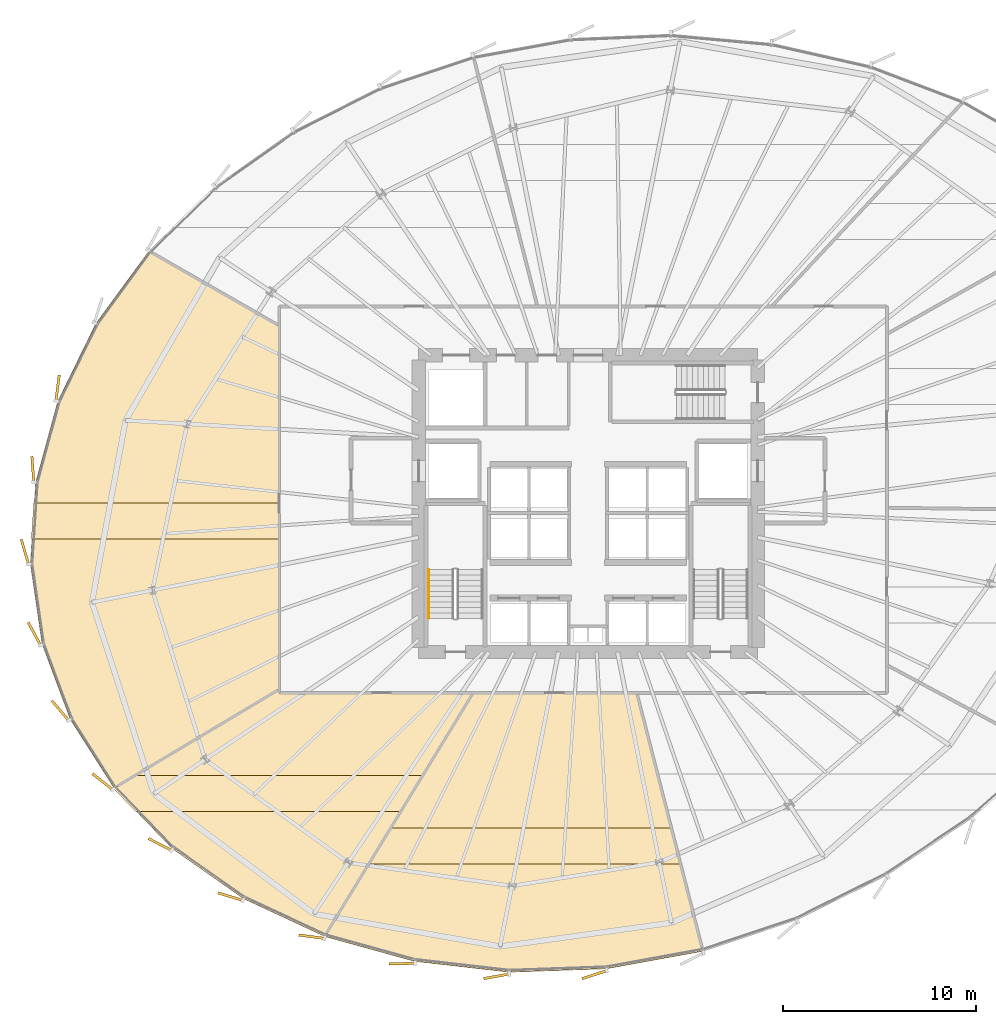
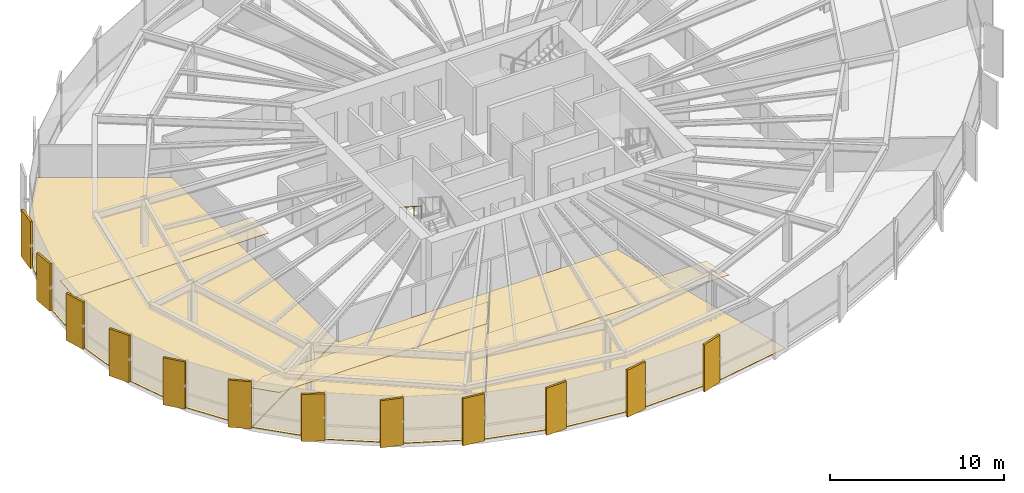
# One storey, part 31 of 35: 18 coverings, 1 railing.
"""IFC4 building model written with IfcOpenShell, lengths in metres."""

from ifc_helpers import new_model, si_unit, direction, frame, origin, origin_2d, place, context, subcontext, project, spatial, polyline, rectangle, circle, outline, extrude, source, transform, mapped, material, layer, layer_set, type_object, element, save


model = new_model("IFC4")

# Units and contexts
model_context = context("Model", 3, precision=1e-05, world=origin(), true_north=direction((0.0, 1.0)))
body_context = subcontext(model_context, "Body", "Model", "MODEL_VIEW")
ifc_project = project(units=[si_unit("LENGTHUNIT", "METRE"), si_unit("AREAUNIT", "SQUARE_METRE"), si_unit("VOLUMEUNIT", "CUBIC_METRE"), si_unit("PLANEANGLEUNIT", "RADIAN"), si_unit("MASSUNIT", "GRAM", prefix="KILO"), si_unit("THERMODYNAMICTEMPERATUREUNIT", "KELVIN")], contexts=[model_context])

# Site, building, storey
site_placement = place(None, origin())
site = spatial("IfcSite", under=ifc_project, at=site_placement, CompositionType="ELEMENT")
building_placement = place(site_placement, origin())
building = spatial("IfcBuilding", under=site, at=building_placement, Name="Kethvar Cultural Tower", CompositionType="ELEMENT")
storey_placement = place(building_placement, frame((0.0, 0.0, 92.800048828125)))
storey = spatial("IfcBuildingStorey", under=building, at=storey_placement, Name="L22", CompositionType="ELEMENT", Elevation=92.800048828125)

# Coverings
ifc_material_1 = material(Name="Acoustic Mineral Fibre Ceiling")
ifc_layer_1 = layer(ifc_material_1, 0.0400390625, Name="Acoustic Mineral Fibre Ceiling")
ifc_layer_set_1 = layer_set([ifc_layer_1], Name="Acoustic Mineral Fibre Ceiling (40 mm)")
covering_type_1 = type_object("IfcCoveringType", Name="CV-ACOUSTIC-CEIL", PredefinedType="CEILING", material=ifc_layer_set_1)
covering_1_placement = place(storey_placement, frame((0.0, 0.0, 2.780029296875)))
element("IfcCovering", 1, at=covering_1_placement, inside=storey, type_object=covering_type_1, Name="L22 Room 01 Acoustic Ceiling Panel", PredefinedType="CEILING", context=body_context, shape_type="SweptSolid", body=[
    extrude(outline(polyline([(22.178466796875, 12.99267578125), (23.28076171875, 13.683837890625), (38.251708984375, 13.683837890625), (37.1162109375, 11.813720703125), (23.318115234375, 11.813720703125), (22.178466796875, 12.99267578125)])), origin(), (0.0, 0.0, 1.0), 0.0400390625),
])
covering_2_placement = place(storey_placement, frame((0.0, 0.0, 2.780029296875)))
element("IfcCovering", 2, at=covering_2_placement, inside=storey, type_object=covering_type_1, Name="L22 Room 02 Acoustic Ceiling Panel", PredefinedType="CEILING", context=body_context, shape_type="SweptSolid", body=[
    extrude(outline(polyline([(36.5517578125, 10.96142578125), (51.14404296875, 10.96142578125), (51.624267578125, 9.091552734375), (35.416259765625, 9.091552734375), (36.5517578125, 10.96142578125)])), origin(), (0.0, 0.0, 1.0), 0.0400390625),
])
covering_3_placement = place(storey_placement, frame((0.0, 0.0, 2.780029296875)))
element("IfcCovering", 3, at=covering_3_placement, inside=storey, type_object=covering_type_1, Name="L22 Room 09 Acoustic Ceiling Panel", PredefinedType="CEILING", context=body_context, shape_type="SweptSolid", body=[
    extrude(outline(polyline([(18.019775390625, 27.8271484375), (30.7900390625, 27.8271484375), (30.7900390625, 25.957275390625), (17.89892578125, 25.957275390625), (18.019775390625, 27.8271484375)])), origin(), (0.0, 0.0, 1.0), 0.0400390625),
])
ifc_material_2 = material(Name="Architectural Oak Timber", Category="wood")
ifc_layer_2 = layer(ifc_material_2, 0.02490234375, Name="Architectural Oak Timber", Category="wood")
ifc_layer_set_2 = layer_set([ifc_layer_2], Name="Architectural Oak Timber (25 mm)")
covering_type_2 = type_object("IfcCoveringType", Name="CV-OAK-FLOOR", PredefinedType="FLOORING", material=ifc_layer_set_2)
covering_4_placement = place(storey_placement, origin())
element("IfcCovering", 4, at=covering_4_placement, inside=storey, type_object=covering_type_2, Name="L22 Room 01 Floor Finish", PredefinedType="FLOORING", context=body_context, shape_type="SweptSolid", body=[
    extrude(outline(polyline([(28.922607421875, 7.296142578125), (25.238037109375, 9.885498046875), (22.224609375, 13.002197265625), (30.75, 18.127685546875), (30.77001953125, 17.9599609375), (40.801513671875, 17.9599609375), (33.135986328125, 5.33642578125), (28.922607421875, 7.296142578125)])), origin(), (0.0, 0.0, 1.0), 0.02490234375),
])
covering_5_placement = place(storey_placement, origin())
element("IfcCovering", 5, at=covering_5_placement, inside=storey, type_object=covering_type_2, Name="L22 Room 02 Floor Finish", PredefinedType="FLOORING", context=body_context, shape_type="SweptSolid", body=[
    extrude(outline(polyline([(52.744384765625, 4.56787109375), (47.751708984375, 3.66064453125), (42.71044921875, 3.483642578125), (37.793701171875, 4.045654296875), (33.174560546875, 5.322998046875), (40.848388671875, 17.9599609375), (49.305908203125, 17.9599609375), (52.744384765625, 4.56787109375)])), origin(), (0.0, 0.0, 1.0), 0.02490234375),
])
covering_6_placement = place(storey_placement, origin())
element("IfcCovering", 6, at=covering_6_placement, inside=storey, type_object=covering_type_2, Name="L22 Room 09 Floor Finish", PredefinedType="FLOORING", context=body_context, shape_type="SweptSolid", body=[
    extrude(outline(polyline([(19.926513671875, 16.601318359375), (18.46044921875, 20.523681640625), (17.85546875, 24.6669921875), (18.129638671875, 28.90576171875), (19.274658203125, 33.111083984375), (21.256103515625, 37.1552734375), (24.004150390625, 40.90234375), (30.75, 37.018310546875), (30.75, 18.17431640625), (22.19921875, 13.03369140625), (19.926513671875, 16.601318359375)])), origin(), (0.0, 0.0, 1.0), 0.02490234375),
])

# Railing
ifc_material_3 = material(Name="Steel S355J2", Category="steel")
railing_type = type_object("IfcRailingType", Name="RL-STAIR-HANDRAIL", PredefinedType="HANDRAIL", material=ifc_material_3)
railing_placement = place(storey_placement, frame((38.5400390625, 24.3701171875, 1.97998046875)))
element("IfcRailing", 7, at=railing_placement, inside=storey, type_object=railing_type, Name="L22 ST-01 stair handrail 2", PredefinedType="HANDRAIL", context=body_context, shape_type="SweptSolid", body=[
    extrude(circle(Radius=0.02392578125, at=origin_2d()), frame((0.0, 0.0, 0.8759765625), z_axis=(0.0, -0.841199657755, 0.540724639528), x_axis=(1.0, 0.0, 0.0)), (0.0, 0.0, 1.0), 2.995849609375),
    extrude(circle(Radius=0.02099609375, at=origin_2d()), origin(), (0.0, 0.0, 1.0), 0.851806640625),
    extrude(circle(Radius=0.02099609375, at=origin_2d()), frame((0.0, -0.840087890625, 0.5400390625)), (0.0, 0.0, 1.0), 0.851806640625),
    extrude(circle(Radius=0.02099609375, at=origin_2d()), frame((0.0, -1.679931640625, 1.079833984375)), (0.0, 0.0, 1.0), 0.851806640625),
    extrude(circle(Radius=0.02099609375, at=origin_2d()), frame((0.0, -2.52001953125, 1.619873046875)), (0.0, 0.0, 1.0), 0.851806640625),
])

# Coverings
ifc_material_4 = material(Name="Extruded Architectural Terracotta", Category="masonry")
ifc_layer_3 = layer(ifc_material_4, 0.135009765625, Name="Extruded Architectural Terracotta", Category="masonry")
ifc_layer_set_3 = layer_set([ifc_layer_3], Name="Extruded Architectural Terracotta (135 mm)")
covering_type_3 = type_object("IfcCoveringType", Name="Terracotta Facade Fin FIN-02", PredefinedType="CLADDING", material=ifc_layer_set_3)
shared_shape = source(origin(), body_context, "Body", "SweptSolid", [
    extrude(rectangle(XDim=1.35009765625, YDim=0.135009765625, at=origin_2d()), origin(), (0.0, 0.0, 1.0), 3.31005859375),
])
for number, where, z_axis, x_axis, name in (
    (8, (19.263671875, 33.808837890625, 0.02001953125), (0.0, 0.0, 1.0), (0.125852686403, 0.992048940993, 0.0), "L22 Vertical Terracotta Fin 3.4"),
    (9, (17.9794921875, 29.58740234375, 0.02001953125), (0.0, 0.0, 1.0), (-0.074978726826, 0.997185133525, 0.0), "L22 Vertical Terracotta Fin 3.5"),
    (10, (17.566650390625, 25.302490234375, 0.02001953125), (0.0, 0.0, 1.0), (-0.28083422227, 0.959756291775, 0.0), "L22 Vertical Terracotta Fin 3.6"),
    (11, (18.057861328125, 21.04736328125, 0.02001953125), (0.0, 0.0, 1.0), (-0.477005370471, 0.878900379191, 0.0), "L22 Vertical Terracotta Fin 4.1"),
    (12, (19.402587890625, 17.0625, 0.02001953125), (0.0, 0.0, 1.0), (-0.64944804833, 0.7604059656, 0.0), "L22 Vertical Terracotta Fin 4.2"),
    (13, (21.603271484375, 13.3662109375, 0.02001953125), (0.0, 0.0, 1.0), (-0.788333005168, 0.615248789485, 0.0), "L22 Vertical Terracotta Fin 4.3"),
    (14, (24.577880859375, 10.1123046875, 0.02001953125), (0.0, 0.0, 1.0), (-0.890212804611, 0.455544907234, 0.0), "L22 Vertical Terracotta Fin 4.4"),
    (15, (28.233154296875, 7.40283203125, 0.02001953125), (0.0, 0.0, 1.0), (-0.956610402488, 0.291370104596, 0.0), "L22 Vertical Terracotta Fin 4.5"),
    (16, (32.453125, 5.3212890625, 0.02001953125), (0.0, 0.0, 1.0), (-0.99153574423, 0.129834001381, 0.0), "L22 Vertical Terracotta Fin 4.6"),
    (17, (37.144775390625, 3.924560546875, 0.02001953125), (0.0, 0.0, 1.0), (-0.999666401551, -0.025828000486, 0.0), "L22 Vertical Terracotta Fin 5.1"),
    (18, (42.0478515625, 3.266357421875, 0.02001953125), (0.0, 0.0, 1.0), (-0.984777430688, -0.173820056399, 0.0), "L22 Vertical Terracotta Fin 5.2"),
    (19, (47.127197265625, 3.35009765625, 0.02001953125), (0.0, 0.0, 1.0), (-0.949425477642, -0.313992455967, 0.0), "L22 Vertical Terracotta Fin 5.3"),
):
    element("IfcCovering", number, at=place(storey_placement, frame(where, z_axis=z_axis, x_axis=x_axis)), inside=storey, type_object=covering_type_3, Name=name, PredefinedType="CLADDING", context=body_context, shape_type="MappedRepresentation", body=[
        mapped(shared_shape, transform((0.0, 0.0, 0.0), scale=1.0)),
    ])

save(model, "model.ifc")
